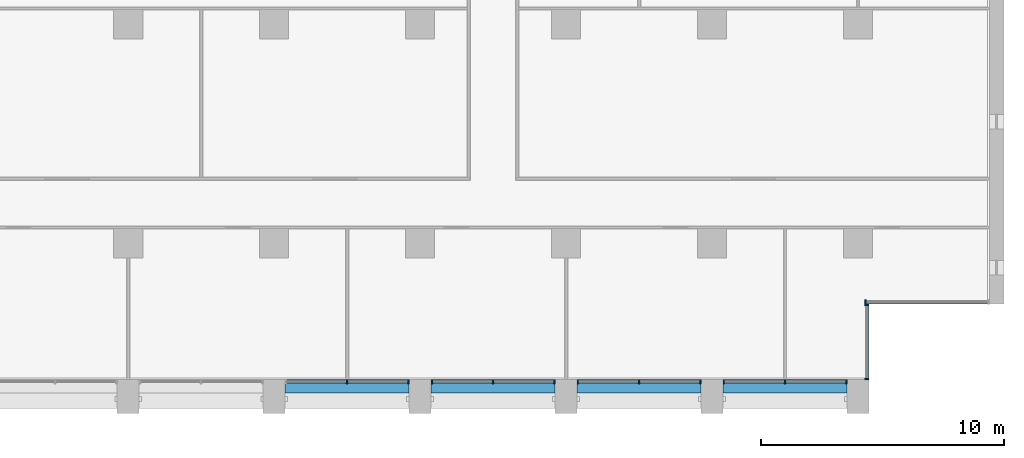
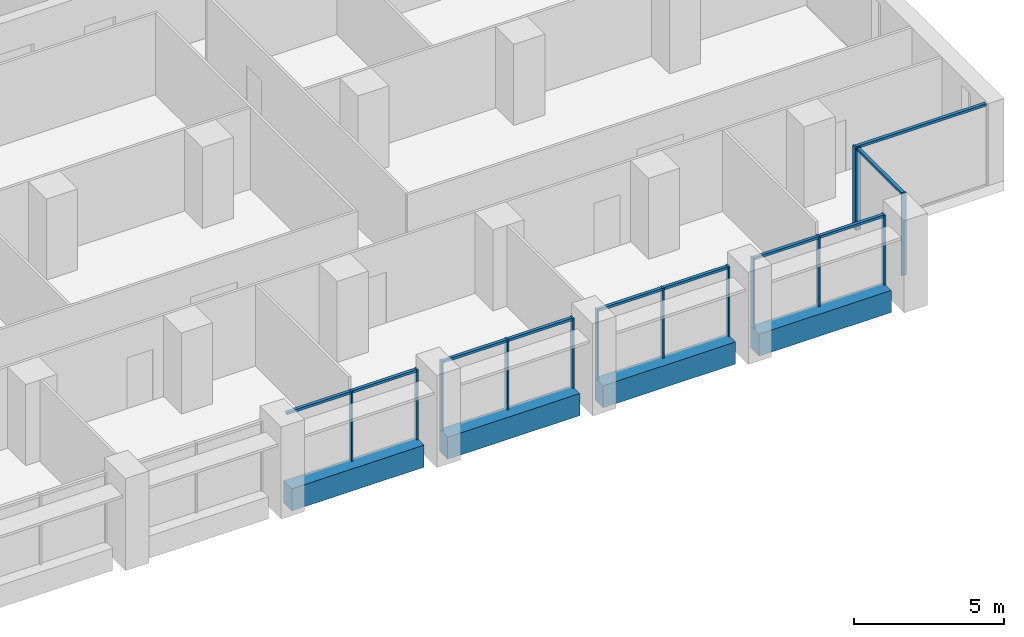
# One storey, part 3 of 17: 24 members, 4 beams, 6 elements without a shape of their own.
"""IFC4 building model written with IfcOpenShell, lengths in metres."""

from ifc_helpers import new_model, si_unit, direction, frame, origin, origin_2d, place, context, subcontext, project, spatial, rectangle, extrude, material, material_profile, profile_set, type_object, element, aggregate, save


model = new_model("IFC4")

# Units and contexts
model_context = context("Model", 3, precision=1e-05, world=origin(), true_north=direction((0.0, 1.0)))
body_context = subcontext(model_context, "Body", "Model", "MODEL_VIEW")
ifc_project = project(units=[si_unit("LENGTHUNIT", "METRE"), si_unit("AREAUNIT", "SQUARE_METRE"), si_unit("VOLUMEUNIT", "CUBIC_METRE"), si_unit("PLANEANGLEUNIT", "RADIAN"), si_unit("MASSUNIT", "GRAM", prefix="KILO")], contexts=[model_context])

# Site, building, storey
site_placement = place(None, origin())
site = spatial("IfcSite", under=ifc_project, at=site_placement, CompositionType="ELEMENT")
building_placement = place(site_placement, origin())
building = spatial("IfcBuilding", under=site, at=building_placement, Name="Calvaro Tower", CompositionType="ELEMENT")
storey_placement = place(building_placement, frame((0.0, 0.0, 170.5)))
storey = spatial("IfcBuildingStorey", under=building, at=storey_placement, Name="L42", CompositionType="ELEMENT", Elevation=170.5)

# Curtain wall, members
ifc_material_1 = material(Name="Anodised aluminium", Category="aluminium")
curtain_wall_type = type_object("IfcCurtainWallType", Name="Office curtain wall, upper zone", PredefinedType="NOTDEFINED", material=ifc_material_1)
curtain_wall_1_placement = place(storey_placement, origin())
curtain_wall_1 = element("IfcCurtainWall", 1, at=curtain_wall_1_placement, inside=storey, type_object=curtain_wall_type, Name="CW3 south curtain wall", PredefinedType="NOTDEFINED")
ifc_material_2 = material(Name="Anodised aluminium", Category="aluminium")
ifc_material_profile_1 = material_profile(ifc_material_2, rectangle(XDim=0.179931640625, YDim=0.06005859375, at=origin_2d()), Name="Mullion S3 60 x 180")
ifc_profile_set_1 = profile_set([ifc_material_profile_1], Name="Anodised aluminium")
member_type_1 = type_object("IfcMemberType", Name="Mullion S3 60 x 180", PredefinedType="MULLION", material=ifc_profile_set_1)
member_1_placement = place(storey_placement, frame((45.0, 4.31005859375, 0.0), z_axis=(0.0, 0.0, 1.0), x_axis=(0.0, 1.0, 0.0)))
member_1 = element("IfcMember", 2, at=member_1_placement, type_object=member_type_1, Name="CW3 mullion 2", PredefinedType="MULLION", context=body_context, shape_type="SweptSolid", body=[
    extrude(rectangle(XDim=0.179931640625, YDim=0.06005859375, at=origin_2d()), origin(), (0.0, 0.0, 1.0), 2.85009765625),
])
member_2_placement = place(storey_placement, frame((47.52001953125, 4.31005859375, 0.0), z_axis=(0.0, 0.0, 1.0), x_axis=(0.0, 1.0, 0.0)))
member_2 = element("IfcMember", 3, at=member_2_placement, type_object=member_type_1, Name="CW3 mullion 3", PredefinedType="MULLION", context=body_context, shape_type="SweptSolid", body=[
    extrude(rectangle(XDim=0.179931640625, YDim=0.06005859375, at=origin_2d()), origin(), (0.0, 0.0, 1.0), 2.85009765625),
])

curtain_wall_2_placement = place(storey_placement, origin())
curtain_wall_2 = element("IfcCurtainWall", 4, at=curtain_wall_2_placement, inside=storey, type_object=curtain_wall_type, Name="CW3 south curtain wall", PredefinedType="NOTDEFINED")
member_3_placement = place(storey_placement, frame((48.47998046875, 4.31005859375, 0.0), z_axis=(0.0, 0.0, 1.0), x_axis=(0.0, 1.0, 0.0)))
member_3 = element("IfcMember", 5, at=member_3_placement, type_object=member_type_1, Name="CW3 mullion 1", PredefinedType="MULLION", context=body_context, shape_type="SweptSolid", body=[
    extrude(rectangle(XDim=0.179931640625, YDim=0.06005859375, at=origin_2d()), origin(), (0.0, 0.0, 1.0), 2.85009765625),
])
member_4_placement = place(storey_placement, frame((51.0, 4.31005859375, 0.0), z_axis=(0.0, 0.0, 1.0), x_axis=(0.0, 1.0, 0.0)))
member_4 = element("IfcMember", 6, at=member_4_placement, type_object=member_type_1, Name="CW3 mullion 2", PredefinedType="MULLION", context=body_context, shape_type="SweptSolid", body=[
    extrude(rectangle(XDim=0.179931640625, YDim=0.06005859375, at=origin_2d()), origin(), (0.0, 0.0, 1.0), 2.85009765625),
])
member_5_placement = place(storey_placement, frame((53.52001953125, 4.31005859375, 0.0), z_axis=(0.0, 0.0, 1.0), x_axis=(0.0, 1.0, 0.0)))
member_5 = element("IfcMember", 7, at=member_5_placement, type_object=member_type_1, Name="CW3 mullion 3", PredefinedType="MULLION", context=body_context, shape_type="SweptSolid", body=[
    extrude(rectangle(XDim=0.179931640625, YDim=0.06005859375, at=origin_2d()), origin(), (0.0, 0.0, 1.0), 2.85009765625),
])

curtain_wall_3_placement = place(storey_placement, origin())
curtain_wall_3 = element("IfcCurtainWall", 8, at=curtain_wall_3_placement, inside=storey, type_object=curtain_wall_type, Name="CW3 south curtain wall", PredefinedType="NOTDEFINED")
member_6_placement = place(storey_placement, frame((54.47998046875, 4.31005859375, 0.0), z_axis=(0.0, 0.0, 1.0), x_axis=(0.0, 1.0, 0.0)))
member_6 = element("IfcMember", 9, at=member_6_placement, type_object=member_type_1, Name="CW3 mullion 1", PredefinedType="MULLION", context=body_context, shape_type="SweptSolid", body=[
    extrude(rectangle(XDim=0.179931640625, YDim=0.06005859375, at=origin_2d()), origin(), (0.0, 0.0, 1.0), 2.85009765625),
])
member_7_placement = place(storey_placement, frame((57.0, 4.31005859375, 0.0), z_axis=(0.0, 0.0, 1.0), x_axis=(0.0, 1.0, 0.0)))
member_7 = element("IfcMember", 10, at=member_7_placement, type_object=member_type_1, Name="CW3 mullion 2", PredefinedType="MULLION", context=body_context, shape_type="SweptSolid", body=[
    extrude(rectangle(XDim=0.179931640625, YDim=0.06005859375, at=origin_2d()), origin(), (0.0, 0.0, 1.0), 2.85009765625),
])
member_8_placement = place(storey_placement, frame((59.52001953125, 4.31005859375, 0.0), z_axis=(0.0, 0.0, 1.0), x_axis=(0.0, 1.0, 0.0)))
member_8 = element("IfcMember", 11, at=member_8_placement, type_object=member_type_1, Name="CW3 mullion 3", PredefinedType="MULLION", context=body_context, shape_type="SweptSolid", body=[
    extrude(rectangle(XDim=0.179931640625, YDim=0.06005859375, at=origin_2d()), origin(), (0.0, 0.0, 1.0), 2.85009765625),
])

curtain_wall_4_placement = place(storey_placement, origin())
curtain_wall_4 = element("IfcCurtainWall", 12, at=curtain_wall_4_placement, inside=storey, type_object=curtain_wall_type, Name="CW3 south curtain wall", PredefinedType="NOTDEFINED")
member_9_placement = place(storey_placement, frame((60.47998046875, 4.31005859375, 0.0), z_axis=(0.0, 0.0, 1.0), x_axis=(0.0, 1.0, 0.0)))
member_9 = element("IfcMember", 13, at=member_9_placement, type_object=member_type_1, Name="CW3 mullion 1", PredefinedType="MULLION", context=body_context, shape_type="SweptSolid", body=[
    extrude(rectangle(XDim=0.179931640625, YDim=0.06005859375, at=origin_2d()), origin(), (0.0, 0.0, 1.0), 2.85009765625),
])
member_10_placement = place(storey_placement, frame((63.0, 4.31005859375, 0.0), z_axis=(0.0, 0.0, 1.0), x_axis=(0.0, 1.0, 0.0)))
member_10 = element("IfcMember", 14, at=member_10_placement, type_object=member_type_1, Name="CW3 mullion 2", PredefinedType="MULLION", context=body_context, shape_type="SweptSolid", body=[
    extrude(rectangle(XDim=0.179931640625, YDim=0.06005859375, at=origin_2d()), origin(), (0.0, 0.0, 1.0), 2.85009765625),
])
member_11_placement = place(storey_placement, frame((65.52001953125, 4.31005859375, 0.0), z_axis=(0.0, 0.0, 1.0), x_axis=(0.0, 1.0, 0.0)))
member_11 = element("IfcMember", 15, at=member_11_placement, type_object=member_type_1, Name="CW3 mullion 3", PredefinedType="MULLION", context=body_context, shape_type="SweptSolid", body=[
    extrude(rectangle(XDim=0.179931640625, YDim=0.06005859375, at=origin_2d()), origin(), (0.0, 0.0, 1.0), 2.85009765625),
])

curtain_wall_5_placement = place(storey_placement, origin())
curtain_wall_5 = element("IfcCurtainWall", 16, at=curtain_wall_5_placement, inside=storey, type_object=curtain_wall_type, Name="CW3 corner curtain wall", PredefinedType="NOTDEFINED")
member_12_placement = place(storey_placement, frame((66.360107421875, 4.429931640625, 0.0), z_axis=(0.0, 0.0, 1.0), x_axis=(-1.0, 0.0, 0.0)))
member_12 = element("IfcMember", 17, at=member_12_placement, type_object=member_type_1, Name="CW3 mullion 1", PredefinedType="MULLION", context=body_context, shape_type="SweptSolid", body=[
    extrude(rectangle(XDim=0.179931640625, YDim=0.06005859375, at=origin_2d()), origin(), (0.0, 0.0, 1.0), 3.35009765625),
])
member_13_placement = place(storey_placement, frame((66.360107421875, 7.469970703125, 0.0), z_axis=(0.0, 0.0, 1.0), x_axis=(-1.0, 0.0, 0.0)))
member_13 = element("IfcMember", 18, at=member_13_placement, type_object=member_type_1, Name="CW3 mullion 2", PredefinedType="MULLION", context=body_context, shape_type="SweptSolid", body=[
    extrude(rectangle(XDim=0.179931640625, YDim=0.06005859375, at=origin_2d()), origin(), (0.0, 0.0, 1.0), 3.35009765625),
])

# Curtain wall, member
curtain_wall_6_placement = place(storey_placement, origin())
curtain_wall_6 = element("IfcCurtainWall", 19, at=curtain_wall_6_placement, inside=storey, type_object=curtain_wall_type, Name="CW3 corner curtain wall", PredefinedType="NOTDEFINED")
member_14_placement = place(storey_placement, frame((66.300048828125, 7.590087890625, 0.0), z_axis=(0.0, 0.0, 1.0), x_axis=(0.0, 1.0, 0.0)))
member_14 = element("IfcMember", 20, at=member_14_placement, type_object=member_type_1, Name="CW3 mullion 1", PredefinedType="MULLION", context=body_context, shape_type="SweptSolid", body=[
    extrude(rectangle(XDim=0.179931640625, YDim=0.06005859375, at=origin_2d()), origin(), (0.0, 0.0, 1.0), 3.35009765625),
])

# Beams
ifc_material_3 = material(Name="Concrete C50/60 precast", Category="concrete")
ifc_material_profile_2 = material_profile(ifc_material_3, rectangle(XDim=0.550048828125, YDim=0.89990234375, at=origin_2d()), Name="RC 550x900")
ifc_profile_set_2 = profile_set([ifc_material_profile_2], Name="Concrete C50/60 precast")
beam_type = type_object("IfcBeamType", Name="Spandrel beam 550x900 C50/60", PredefinedType="SPANDREL", material=ifc_profile_set_2)
for number, where, z_axis, x_axis, name in (
    (21, (42.449951171875, 4.125, -0.449951171875), (1.0, 0.0, 0.0), (0.0, 1.0, 0.0), "Spandrel beam"),
    (22, (48.449951171875, 4.125, -0.449951171875), (1.0, 0.0, 0.0), (0.0, 1.0, 0.0), "Spandrel beam"),
    (23, (54.449951171875, 4.125, -0.449951171875), (1.0, 0.0, 0.0), (0.0, 1.0, 0.0), "Spandrel beam"),
    (24, (60.449951171875, 4.125, -0.449951171875), (1.0, 0.0, 0.0), (0.0, 1.0, 0.0), "Spandrel beam"),
):
    element("IfcBeam", number, at=place(storey_placement, frame(where, z_axis=z_axis, x_axis=x_axis)), inside=storey, type_object=beam_type, Name=name, PredefinedType="SPANDREL", context=body_context, shape_type="SweptSolid", body=[
        extrude(rectangle(XDim=0.550048828125, YDim=0.89990234375, at=origin_2d()), origin(), (0.0, 0.0, 1.0), 5.10009765625),
    ])

# Member
ifc_material_4 = material(Name="Anodised aluminium", Category="aluminium")
ifc_material_profile_3 = material_profile(ifc_material_4, rectangle(XDim=0.1201171875, YDim=0.10009765625, at=origin_2d()), Name="Transom S3 100 x 120")
ifc_profile_set_3 = profile_set([ifc_material_profile_3], Name="Anodised aluminium")
member_type_2 = type_object("IfcMemberType", Name="Transom S3 100 x 120", PredefinedType="USERDEFINED", material=ifc_profile_set_3)
member_15_placement = place(storey_placement, frame((42.510009765625, 4.31005859375, 2.800048828125), z_axis=(1.0, 0.0, 0.0), x_axis=(0.0, 1.0, 0.0)))
member_15 = element("IfcMember", 25, at=member_15_placement, type_object=member_type_2, Name="CW3 transom 1.1", ObjectType="TRANSOM", PredefinedType="USERDEFINED", context=body_context, shape_type="SweptSolid", body=[
    extrude(rectangle(XDim=0.1201171875, YDim=0.10009765625, at=origin_2d()), origin(), (0.0, 0.0, 1.0), 2.4599609375),
])

member_16_placement = place(storey_placement, frame((45.030029296875, 4.31005859375, 2.800048828125), z_axis=(1.0, 0.0, 0.0), x_axis=(0.0, 1.0, 0.0)))
member_16 = element("IfcMember", 26, at=member_16_placement, type_object=member_type_2, Name="CW3 transom 2.1", ObjectType="TRANSOM", PredefinedType="USERDEFINED", context=body_context, shape_type="SweptSolid", body=[
    extrude(rectangle(XDim=0.1201171875, YDim=0.10009765625, at=origin_2d()), origin(), (0.0, 0.0, 1.0), 2.4599609375),
])

aggregate(curtain_wall_1, [member_1, member_2, member_15, member_16])

member_17_placement = place(storey_placement, frame((48.510009765625, 4.31005859375, 2.800048828125), z_axis=(1.0, 0.0, 0.0), x_axis=(0.0, 1.0, 0.0)))
member_17 = element("IfcMember", 27, at=member_17_placement, type_object=member_type_2, Name="CW3 transom 1.1", ObjectType="TRANSOM", PredefinedType="USERDEFINED", context=body_context, shape_type="SweptSolid", body=[
    extrude(rectangle(XDim=0.1201171875, YDim=0.10009765625, at=origin_2d()), origin(), (0.0, 0.0, 1.0), 2.4599609375),
])

member_18_placement = place(storey_placement, frame((51.030029296875, 4.31005859375, 2.800048828125), z_axis=(1.0, 0.0, 0.0), x_axis=(0.0, 1.0, 0.0)))
member_18 = element("IfcMember", 28, at=member_18_placement, type_object=member_type_2, Name="CW3 transom 2.1", ObjectType="TRANSOM", PredefinedType="USERDEFINED", context=body_context, shape_type="SweptSolid", body=[
    extrude(rectangle(XDim=0.1201171875, YDim=0.10009765625, at=origin_2d()), origin(), (0.0, 0.0, 1.0), 2.4599609375),
])

aggregate(curtain_wall_2, [member_3, member_4, member_5, member_17, member_18])

member_19_placement = place(storey_placement, frame((54.510009765625, 4.31005859375, 2.800048828125), z_axis=(1.0, 0.0, 0.0), x_axis=(0.0, 1.0, 0.0)))
member_19 = element("IfcMember", 29, at=member_19_placement, type_object=member_type_2, Name="CW3 transom 1.1", ObjectType="TRANSOM", PredefinedType="USERDEFINED", context=body_context, shape_type="SweptSolid", body=[
    extrude(rectangle(XDim=0.1201171875, YDim=0.10009765625, at=origin_2d()), origin(), (0.0, 0.0, 1.0), 2.4599609375),
])

member_20_placement = place(storey_placement, frame((57.030029296875, 4.31005859375, 2.800048828125), z_axis=(1.0, 0.0, 0.0), x_axis=(0.0, 1.0, 0.0)))
member_20 = element("IfcMember", 30, at=member_20_placement, type_object=member_type_2, Name="CW3 transom 2.1", ObjectType="TRANSOM", PredefinedType="USERDEFINED", context=body_context, shape_type="SweptSolid", body=[
    extrude(rectangle(XDim=0.1201171875, YDim=0.10009765625, at=origin_2d()), origin(), (0.0, 0.0, 1.0), 2.4599609375),
])

aggregate(curtain_wall_3, [member_6, member_7, member_8, member_19, member_20])

member_21_placement = place(storey_placement, frame((60.510009765625, 4.31005859375, 2.800048828125), z_axis=(1.0, 0.0, 0.0), x_axis=(0.0, 1.0, 0.0)))
member_21 = element("IfcMember", 31, at=member_21_placement, type_object=member_type_2, Name="CW3 transom 1.1", ObjectType="TRANSOM", PredefinedType="USERDEFINED", context=body_context, shape_type="SweptSolid", body=[
    extrude(rectangle(XDim=0.1201171875, YDim=0.10009765625, at=origin_2d()), origin(), (0.0, 0.0, 1.0), 2.4599609375),
])

member_22_placement = place(storey_placement, frame((63.030029296875, 4.31005859375, 2.800048828125), z_axis=(1.0, 0.0, 0.0), x_axis=(0.0, 1.0, 0.0)))
member_22 = element("IfcMember", 32, at=member_22_placement, type_object=member_type_2, Name="CW3 transom 2.1", ObjectType="TRANSOM", PredefinedType="USERDEFINED", context=body_context, shape_type="SweptSolid", body=[
    extrude(rectangle(XDim=0.1201171875, YDim=0.10009765625, at=origin_2d()), origin(), (0.0, 0.0, 1.0), 2.4599609375),
])

aggregate(curtain_wall_4, [member_9, member_10, member_11, member_21, member_22])

member_23_placement = place(storey_placement, frame((66.360107421875, 4.4599609375, 3.300048828125), z_axis=(0.0, 1.0, 0.0), x_axis=(-1.0, 0.0, 0.0)))
member_23 = element("IfcMember", 33, at=member_23_placement, type_object=member_type_2, Name="CW3 transom 1.1", ObjectType="TRANSOM", PredefinedType="USERDEFINED", context=body_context, shape_type="SweptSolid", body=[
    extrude(rectangle(XDim=0.1201171875, YDim=0.10009765625, at=origin_2d()), origin(), (0.0, 0.0, 1.0), 2.97998046875),
])

aggregate(curtain_wall_5, [member_12, member_13, member_23])

member_24_placement = place(storey_placement, frame((66.330078125, 7.590087890625, 3.300048828125), z_axis=(1.0, 0.0, 0.0), x_axis=(0.0, 1.0, 0.0)))
member_24 = element("IfcMember", 34, at=member_24_placement, type_object=member_type_2, Name="CW3 transom 1.1", ObjectType="TRANSOM", PredefinedType="USERDEFINED", context=body_context, shape_type="SweptSolid", body=[
    extrude(rectangle(XDim=0.1201171875, YDim=0.10009765625, at=origin_2d()), origin(), (0.0, 0.0, 1.0), 5.010009765625),
])

aggregate(curtain_wall_6, [member_14, member_24])

save(model, "model.ifc")
